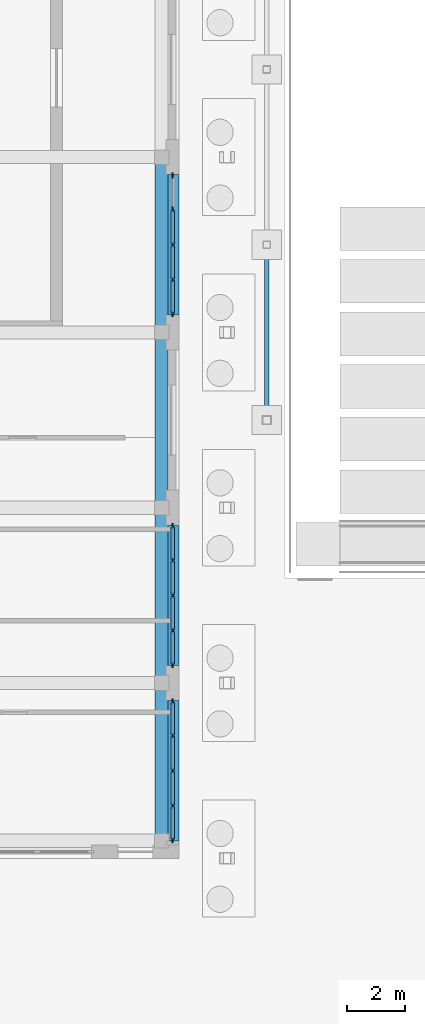
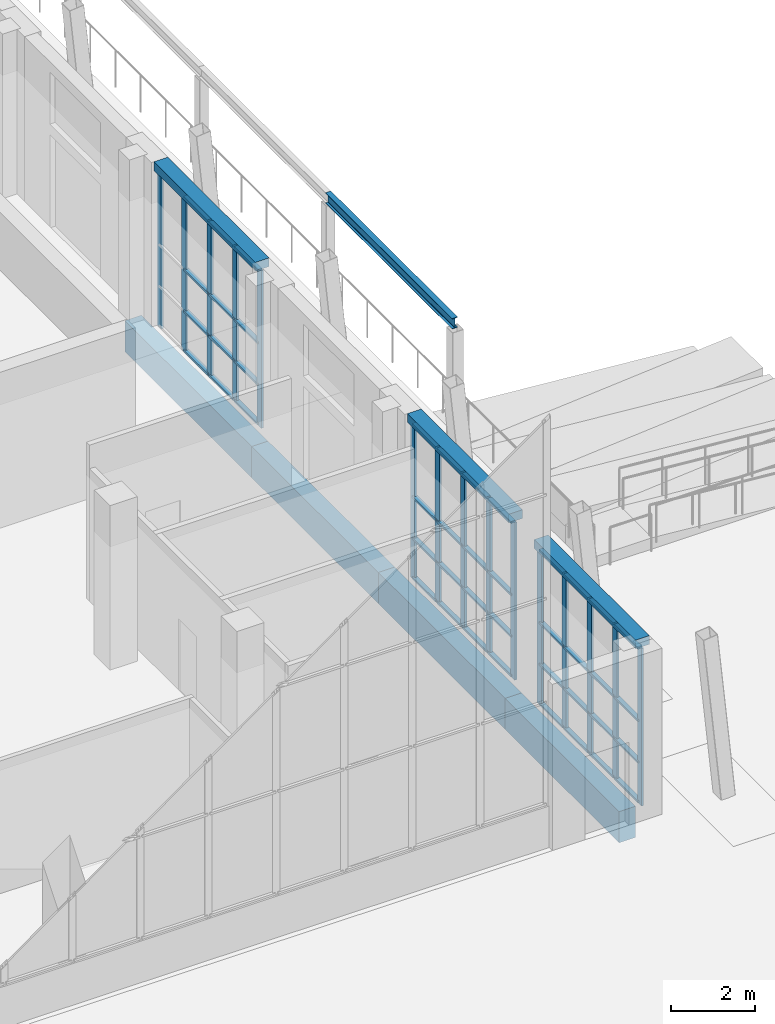
# One storey, part 28 of 144: 59 members, 8 beams, 3 elements without a shape of their own.
"""IFC4 building model written with IfcOpenShell, lengths in metres."""

from ifc_helpers import new_model, si_unit, direction, frame, origin, origin_2d, place, context, subcontext, project, spatial, rectangle, i_section, extrude, material, layer, layer_set, material_profile, profile_set, type_object, element, aggregate, save


model = new_model("IFC4")

# Units and contexts
model_context = context("Model", 3, precision=1e-05, world=origin(), true_north=direction((0.0, 1.0)))
body_context = subcontext(model_context, "Body", "Model", "MODEL_VIEW")
ifc_project = project(units=[si_unit("LENGTHUNIT", "METRE"), si_unit("AREAUNIT", "SQUARE_METRE"), si_unit("VOLUMEUNIT", "CUBIC_METRE"), si_unit("PLANEANGLEUNIT", "RADIAN"), si_unit("MASSUNIT", "GRAM", prefix="KILO")], contexts=[model_context])

# Site, building, storey
site_placement = place(None, origin())
site = spatial("IfcSite", under=ifc_project, at=site_placement, CompositionType="ELEMENT")
building_placement = place(site_placement, origin())
building = spatial("IfcBuilding", under=site, at=building_placement, Name="Lantern Court Media Centre", CompositionType="ELEMENT")
storey_placement = place(building_placement, origin())
storey = spatial("IfcBuildingStorey", under=building, at=storey_placement, Name="L00", CompositionType="ELEMENT", Elevation=0.0)

# Beam
ifc_material_1 = material(Name="Steel S355J2 (EN 10025-2)", Category="steel")
ifc_material_profile_1 = material_profile(ifc_material_1, i_section(OverallWidth=0.14990234375, OverallDepth=0.300048828125, WebThickness=0.007080078125, FlangeThickness=0.0107421875, FilletRadius=0.014892578125, at=origin_2d()), Name="IPE 300")
ifc_profile_set_1 = profile_set([ifc_material_profile_1], Name="Steel S355J2 (EN 10025-2)")
beam_type_1 = type_object("IfcBeamType", Name="Forecourt colonnade beam IPE 300", PredefinedType="BEAM", material=ifc_profile_set_1)
beam_1_placement = place(storey_placement, frame((35.0, 13.0, 4.050048828125), z_axis=(0.0, 1.0, 0.0), x_axis=(-1.0, 0.0, 0.0)))
element("IfcBeam", 1, at=beam_1_placement, inside=storey, type_object=beam_type_1, Name="Forecourt colonnade beam V1 1", PredefinedType="BEAM", context=body_context, shape_type="SweptSolid", body=[
    extrude(i_section(OverallWidth=0.14990234375, OverallDepth=0.300048828125, WebThickness=0.007080078125, FlangeThickness=0.0107421875, FilletRadius=0.014892578125, at=origin_2d()), origin(), (0.0, 0.0, 1.0), 6.0),
])

# Curtain wall, members
ifc_material_2 = material(Name="Aluminium and glass", Category="aluminium")
ifc_layer = layer(ifc_material_2, 0.14990234375)
ifc_layer_set = layer_set([ifc_layer], Name="Aluminium and glass")
curtain_wall_type = type_object("IfcCurtainWallType", Name="Hall lancet glazing", PredefinedType="NOTDEFINED", material=ifc_layer_set)
curtain_wall_1_placement = place(storey_placement, origin())
curtain_wall_1 = element("IfcCurtainWall", 2, at=curtain_wall_1_placement, inside=storey, type_object=curtain_wall_type, Name="Cinema Hall foyer glazing 1", PredefinedType="NOTDEFINED")
ifc_material_3 = material(Name="Aluminium, anodised", Category="aluminium")
ifc_material_profile_2 = material_profile(ifc_material_3, rectangle(XDim=0.06005859375, YDim=0.199951171875, at=origin_2d()), Name="HM")
ifc_profile_set_2 = profile_set([ifc_material_profile_2], Name="Aluminium, anodised")
member_type_1 = type_object("IfcMemberType", Name="HM", PredefinedType="MULLION", material=ifc_profile_set_2)
member_1_placement = place(storey_placement, frame((31.77490234375, -1.3701171875, 0.0), z_axis=(0.0, 0.0, 1.0), x_axis=(-1.0, 0.0, 0.0)))
member_1 = element("IfcMember", 3, at=member_1_placement, type_object=member_type_1, Name="HCW-V11 mullion 1", PredefinedType="MULLION", context=body_context, shape_type="SweptSolid", body=[
    extrude(rectangle(XDim=0.06005859375, YDim=0.199951171875, at=origin_2d()), origin(), (0.0, 0.0, 1.0), 4.550048828125),
])
member_2_placement = place(storey_placement, frame((31.77490234375, -0.199951171875, 0.0), z_axis=(0.0, 0.0, 1.0), x_axis=(-1.0, 0.0, 0.0)))
member_2 = element("IfcMember", 4, at=member_2_placement, type_object=member_type_1, Name="HCW-V11 mullion 2", PredefinedType="MULLION", context=body_context, shape_type="SweptSolid", body=[
    extrude(rectangle(XDim=0.06005859375, YDim=0.199951171875, at=origin_2d()), origin(), (0.0, 0.0, 1.0), 4.550048828125),
])
member_3_placement = place(storey_placement, frame((31.77490234375, 1.0, 0.0), z_axis=(0.0, 0.0, 1.0), x_axis=(-1.0, 0.0, 0.0)))
member_3 = element("IfcMember", 5, at=member_3_placement, type_object=member_type_1, Name="HCW-V11 mullion 3", PredefinedType="MULLION", context=body_context, shape_type="SweptSolid", body=[
    extrude(rectangle(XDim=0.06005859375, YDim=0.199951171875, at=origin_2d()), origin(), (0.0, 0.0, 1.0), 4.550048828125),
])
member_4_placement = place(storey_placement, frame((31.77490234375, 2.199951171875, 0.0), z_axis=(0.0, 0.0, 1.0), x_axis=(-1.0, 0.0, 0.0)))
member_4 = element("IfcMember", 6, at=member_4_placement, type_object=member_type_1, Name="HCW-V11 mullion 4", PredefinedType="MULLION", context=body_context, shape_type="SweptSolid", body=[
    extrude(rectangle(XDim=0.06005859375, YDim=0.199951171875, at=origin_2d()), origin(), (0.0, 0.0, 1.0), 4.550048828125),
])
member_5_placement = place(storey_placement, frame((31.77490234375, 3.3701171875, 0.0), z_axis=(0.0, 0.0, 1.0), x_axis=(-1.0, 0.0, 0.0)))
member_5 = element("IfcMember", 7, at=member_5_placement, type_object=member_type_1, Name="HCW-V11 mullion 5", PredefinedType="MULLION", context=body_context, shape_type="SweptSolid", body=[
    extrude(rectangle(XDim=0.06005859375, YDim=0.199951171875, at=origin_2d()), origin(), (0.0, 0.0, 1.0), 4.550048828125),
])

curtain_wall_2_placement = place(storey_placement, origin())
curtain_wall_2 = element("IfcCurtainWall", 8, at=curtain_wall_2_placement, inside=storey, type_object=curtain_wall_type, Name="Cinema Hall foyer glazing 2", PredefinedType="NOTDEFINED")
member_6_placement = place(storey_placement, frame((31.77490234375, 4.6298828125, 0.0), z_axis=(0.0, 0.0, 1.0), x_axis=(-1.0, 0.0, 0.0)))
member_6 = element("IfcMember", 9, at=member_6_placement, type_object=member_type_1, Name="HCW-V12 mullion 1", PredefinedType="MULLION", context=body_context, shape_type="SweptSolid", body=[
    extrude(rectangle(XDim=0.06005859375, YDim=0.199951171875, at=origin_2d()), origin(), (0.0, 0.0, 1.0), 4.550048828125),
])
member_7_placement = place(storey_placement, frame((31.77490234375, 5.800048828125, 0.0), z_axis=(0.0, 0.0, 1.0), x_axis=(-1.0, 0.0, 0.0)))
member_7 = element("IfcMember", 10, at=member_7_placement, type_object=member_type_1, Name="HCW-V12 mullion 2", PredefinedType="MULLION", context=body_context, shape_type="SweptSolid", body=[
    extrude(rectangle(XDim=0.06005859375, YDim=0.199951171875, at=origin_2d()), origin(), (0.0, 0.0, 1.0), 4.550048828125),
])
member_8_placement = place(storey_placement, frame((31.77490234375, 7.0, 0.0), z_axis=(0.0, 0.0, 1.0), x_axis=(-1.0, 0.0, 0.0)))
member_8 = element("IfcMember", 11, at=member_8_placement, type_object=member_type_1, Name="HCW-V12 mullion 3", PredefinedType="MULLION", context=body_context, shape_type="SweptSolid", body=[
    extrude(rectangle(XDim=0.06005859375, YDim=0.199951171875, at=origin_2d()), origin(), (0.0, 0.0, 1.0), 4.550048828125),
])
member_9_placement = place(storey_placement, frame((31.77490234375, 8.199951171875, 0.0), z_axis=(0.0, 0.0, 1.0), x_axis=(-1.0, 0.0, 0.0)))
member_9 = element("IfcMember", 12, at=member_9_placement, type_object=member_type_1, Name="HCW-V12 mullion 4", PredefinedType="MULLION", context=body_context, shape_type="SweptSolid", body=[
    extrude(rectangle(XDim=0.06005859375, YDim=0.199951171875, at=origin_2d()), origin(), (0.0, 0.0, 1.0), 4.550048828125),
])
member_10_placement = place(storey_placement, frame((31.77490234375, 9.3701171875, 0.0), z_axis=(0.0, 0.0, 1.0), x_axis=(-1.0, 0.0, 0.0)))
member_10 = element("IfcMember", 13, at=member_10_placement, type_object=member_type_1, Name="HCW-V12 mullion 5", PredefinedType="MULLION", context=body_context, shape_type="SweptSolid", body=[
    extrude(rectangle(XDim=0.06005859375, YDim=0.199951171875, at=origin_2d()), origin(), (0.0, 0.0, 1.0), 4.550048828125),
])

curtain_wall_3_placement = place(storey_placement, origin())
curtain_wall_3 = element("IfcCurtainWall", 14, at=curtain_wall_3_placement, inside=storey, type_object=curtain_wall_type, Name="Cinema Hall foyer glazing 4", PredefinedType="NOTDEFINED")
member_11_placement = place(storey_placement, frame((31.77490234375, 16.6298828125, 0.0), z_axis=(0.0, 0.0, 1.0), x_axis=(-1.0, 0.0, 0.0)))
member_11 = element("IfcMember", 15, at=member_11_placement, type_object=member_type_1, Name="HCW-V14 mullion 1", PredefinedType="MULLION", context=body_context, shape_type="SweptSolid", body=[
    extrude(rectangle(XDim=0.06005859375, YDim=0.199951171875, at=origin_2d()), origin(), (0.0, 0.0, 1.0), 4.550048828125),
])
member_12_placement = place(storey_placement, frame((31.77490234375, 17.800048828125, 0.0), z_axis=(0.0, 0.0, 1.0), x_axis=(-1.0, 0.0, 0.0)))
member_12 = element("IfcMember", 16, at=member_12_placement, type_object=member_type_1, Name="HCW-V14 mullion 2", PredefinedType="MULLION", context=body_context, shape_type="SweptSolid", body=[
    extrude(rectangle(XDim=0.06005859375, YDim=0.199951171875, at=origin_2d()), origin(), (0.0, 0.0, 1.0), 4.550048828125),
])
member_13_placement = place(storey_placement, frame((31.77490234375, 19.0, 0.0), z_axis=(0.0, 0.0, 1.0), x_axis=(-1.0, 0.0, 0.0)))
member_13 = element("IfcMember", 17, at=member_13_placement, type_object=member_type_1, Name="HCW-V14 mullion 3", PredefinedType="MULLION", context=body_context, shape_type="SweptSolid", body=[
    extrude(rectangle(XDim=0.06005859375, YDim=0.199951171875, at=origin_2d()), origin(), (0.0, 0.0, 1.0), 4.550048828125),
])
member_14_placement = place(storey_placement, frame((31.77490234375, 20.199951171875, 0.0), z_axis=(0.0, 0.0, 1.0), x_axis=(-1.0, 0.0, 0.0)))
member_14 = element("IfcMember", 18, at=member_14_placement, type_object=member_type_1, Name="HCW-V14 mullion 4", PredefinedType="MULLION", context=body_context, shape_type="SweptSolid", body=[
    extrude(rectangle(XDim=0.06005859375, YDim=0.199951171875, at=origin_2d()), origin(), (0.0, 0.0, 1.0), 4.550048828125),
])
member_15_placement = place(storey_placement, frame((31.77490234375, 21.3701171875, 0.0), z_axis=(0.0, 0.0, 1.0), x_axis=(-1.0, 0.0, 0.0)))
member_15 = element("IfcMember", 19, at=member_15_placement, type_object=member_type_1, Name="HCW-V14 mullion 5", PredefinedType="MULLION", context=body_context, shape_type="SweptSolid", body=[
    extrude(rectangle(XDim=0.06005859375, YDim=0.199951171875, at=origin_2d()), origin(), (0.0, 0.0, 1.0), 4.550048828125),
])

# Member
ifc_material_profile_3 = material_profile(ifc_material_3, rectangle(XDim=0.1201171875, YDim=0.06005859375, at=origin_2d()), Name="HT")
ifc_profile_set_3 = profile_set([ifc_material_profile_3], Name="Aluminium, anodised")
member_type_2 = type_object("IfcMemberType", Name="HT", PredefinedType="USERDEFINED", material=ifc_profile_set_3)
member_16_placement = place(storey_placement, frame((31.77490234375, -1.340087890625, 0.06005859375), z_axis=(0.0, 1.0, 0.0), x_axis=(-1.0, 0.0, 0.0)))
member_16 = element("IfcMember", 20, at=member_16_placement, type_object=member_type_2, Name="HCW-V11 transom 1.1", ObjectType="TRANSOM", PredefinedType="USERDEFINED", context=body_context, shape_type="SweptSolid", body=[
    extrude(rectangle(XDim=0.1201171875, YDim=0.06005859375, at=origin_2d()), origin(), (0.0, 0.0, 1.0), 1.110107421875),
])

member_17_placement = place(storey_placement, frame((31.77490234375, -1.340087890625, 1.199951171875), z_axis=(0.0, 1.0, 0.0), x_axis=(-1.0, 0.0, 0.0)))
member_17 = element("IfcMember", 21, at=member_17_placement, type_object=member_type_2, Name="HCW-V11 transom 1.2", ObjectType="TRANSOM", PredefinedType="USERDEFINED", context=body_context, shape_type="SweptSolid", body=[
    extrude(rectangle(XDim=0.1201171875, YDim=0.06005859375, at=origin_2d()), origin(), (0.0, 0.0, 1.0), 1.110107421875),
])

member_18_placement = place(storey_placement, frame((31.77490234375, -1.340087890625, 2.39990234375), z_axis=(0.0, 1.0, 0.0), x_axis=(-1.0, 0.0, 0.0)))
member_18 = element("IfcMember", 22, at=member_18_placement, type_object=member_type_2, Name="HCW-V11 transom 1.3", ObjectType="TRANSOM", PredefinedType="USERDEFINED", context=body_context, shape_type="SweptSolid", body=[
    extrude(rectangle(XDim=0.1201171875, YDim=0.06005859375, at=origin_2d()), origin(), (0.0, 0.0, 1.0), 1.110107421875),
])

member_19_placement = place(storey_placement, frame((31.77490234375, -1.340087890625, 4.489990234375), z_axis=(0.0, 1.0, 0.0), x_axis=(-1.0, 0.0, 0.0)))
member_19 = element("IfcMember", 23, at=member_19_placement, type_object=member_type_2, Name="HCW-V11 transom 1.4", ObjectType="TRANSOM", PredefinedType="USERDEFINED", context=body_context, shape_type="SweptSolid", body=[
    extrude(rectangle(XDim=0.1201171875, YDim=0.06005859375, at=origin_2d()), origin(), (0.0, 0.0, 1.0), 1.110107421875),
])

member_20_placement = place(storey_placement, frame((31.77490234375, -0.169921875, 0.06005859375), z_axis=(0.0, 1.0, 0.0), x_axis=(-1.0, 0.0, 0.0)))
member_20 = element("IfcMember", 24, at=member_20_placement, type_object=member_type_2, Name="HCW-V11 transom 2.1", ObjectType="TRANSOM", PredefinedType="USERDEFINED", context=body_context, shape_type="SweptSolid", body=[
    extrude(rectangle(XDim=0.1201171875, YDim=0.06005859375, at=origin_2d()), origin(), (0.0, 0.0, 1.0), 1.139892578125),
])

member_21_placement = place(storey_placement, frame((31.77490234375, -0.169921875, 1.199951171875), z_axis=(0.0, 1.0, 0.0), x_axis=(-1.0, 0.0, 0.0)))
member_21 = element("IfcMember", 25, at=member_21_placement, type_object=member_type_2, Name="HCW-V11 transom 2.2", ObjectType="TRANSOM", PredefinedType="USERDEFINED", context=body_context, shape_type="SweptSolid", body=[
    extrude(rectangle(XDim=0.1201171875, YDim=0.06005859375, at=origin_2d()), origin(), (0.0, 0.0, 1.0), 1.139892578125),
])

member_22_placement = place(storey_placement, frame((31.77490234375, -0.169921875, 2.39990234375), z_axis=(0.0, 1.0, 0.0), x_axis=(-1.0, 0.0, 0.0)))
member_22 = element("IfcMember", 26, at=member_22_placement, type_object=member_type_2, Name="HCW-V11 transom 2.3", ObjectType="TRANSOM", PredefinedType="USERDEFINED", context=body_context, shape_type="SweptSolid", body=[
    extrude(rectangle(XDim=0.1201171875, YDim=0.06005859375, at=origin_2d()), origin(), (0.0, 0.0, 1.0), 1.139892578125),
])

member_23_placement = place(storey_placement, frame((31.77490234375, -0.169921875, 4.489990234375), z_axis=(0.0, 1.0, 0.0), x_axis=(-1.0, 0.0, 0.0)))
member_23 = element("IfcMember", 27, at=member_23_placement, type_object=member_type_2, Name="HCW-V11 transom 2.4", ObjectType="TRANSOM", PredefinedType="USERDEFINED", context=body_context, shape_type="SweptSolid", body=[
    extrude(rectangle(XDim=0.1201171875, YDim=0.06005859375, at=origin_2d()), origin(), (0.0, 0.0, 1.0), 1.139892578125),
])

member_24_placement = place(storey_placement, frame((31.77490234375, 1.030029296875, 0.06005859375), z_axis=(0.0, 1.0, 0.0), x_axis=(-1.0, 0.0, 0.0)))
member_24 = element("IfcMember", 28, at=member_24_placement, type_object=member_type_2, Name="HCW-V11 transom 3.1", ObjectType="TRANSOM", PredefinedType="USERDEFINED", context=body_context, shape_type="SweptSolid", body=[
    extrude(rectangle(XDim=0.1201171875, YDim=0.06005859375, at=origin_2d()), origin(), (0.0, 0.0, 1.0), 1.139892578125),
])

member_25_placement = place(storey_placement, frame((31.77490234375, 1.030029296875, 1.199951171875), z_axis=(0.0, 1.0, 0.0), x_axis=(-1.0, 0.0, 0.0)))
member_25 = element("IfcMember", 29, at=member_25_placement, type_object=member_type_2, Name="HCW-V11 transom 3.2", ObjectType="TRANSOM", PredefinedType="USERDEFINED", context=body_context, shape_type="SweptSolid", body=[
    extrude(rectangle(XDim=0.1201171875, YDim=0.06005859375, at=origin_2d()), origin(), (0.0, 0.0, 1.0), 1.139892578125),
])

member_26_placement = place(storey_placement, frame((31.77490234375, 1.030029296875, 2.39990234375), z_axis=(0.0, 1.0, 0.0), x_axis=(-1.0, 0.0, 0.0)))
member_26 = element("IfcMember", 30, at=member_26_placement, type_object=member_type_2, Name="HCW-V11 transom 3.3", ObjectType="TRANSOM", PredefinedType="USERDEFINED", context=body_context, shape_type="SweptSolid", body=[
    extrude(rectangle(XDim=0.1201171875, YDim=0.06005859375, at=origin_2d()), origin(), (0.0, 0.0, 1.0), 1.139892578125),
])

member_27_placement = place(storey_placement, frame((31.77490234375, 1.030029296875, 4.489990234375), z_axis=(0.0, 1.0, 0.0), x_axis=(-1.0, 0.0, 0.0)))
member_27 = element("IfcMember", 31, at=member_27_placement, type_object=member_type_2, Name="HCW-V11 transom 3.4", ObjectType="TRANSOM", PredefinedType="USERDEFINED", context=body_context, shape_type="SweptSolid", body=[
    extrude(rectangle(XDim=0.1201171875, YDim=0.06005859375, at=origin_2d()), origin(), (0.0, 0.0, 1.0), 1.139892578125),
])

member_28_placement = place(storey_placement, frame((31.77490234375, 2.22998046875, 0.06005859375), z_axis=(0.0, 1.0, 0.0), x_axis=(-1.0, 0.0, 0.0)))
member_28 = element("IfcMember", 32, at=member_28_placement, type_object=member_type_2, Name="HCW-V11 transom 4.1", ObjectType="TRANSOM", PredefinedType="USERDEFINED", context=body_context, shape_type="SweptSolid", body=[
    extrude(rectangle(XDim=0.1201171875, YDim=0.06005859375, at=origin_2d()), origin(), (0.0, 0.0, 1.0), 1.110107421875),
])

member_29_placement = place(storey_placement, frame((31.77490234375, 2.22998046875, 1.199951171875), z_axis=(0.0, 1.0, 0.0), x_axis=(-1.0, 0.0, 0.0)))
member_29 = element("IfcMember", 33, at=member_29_placement, type_object=member_type_2, Name="HCW-V11 transom 4.2", ObjectType="TRANSOM", PredefinedType="USERDEFINED", context=body_context, shape_type="SweptSolid", body=[
    extrude(rectangle(XDim=0.1201171875, YDim=0.06005859375, at=origin_2d()), origin(), (0.0, 0.0, 1.0), 1.110107421875),
])

member_30_placement = place(storey_placement, frame((31.77490234375, 2.22998046875, 2.39990234375), z_axis=(0.0, 1.0, 0.0), x_axis=(-1.0, 0.0, 0.0)))
member_30 = element("IfcMember", 34, at=member_30_placement, type_object=member_type_2, Name="HCW-V11 transom 4.3", ObjectType="TRANSOM", PredefinedType="USERDEFINED", context=body_context, shape_type="SweptSolid", body=[
    extrude(rectangle(XDim=0.1201171875, YDim=0.06005859375, at=origin_2d()), origin(), (0.0, 0.0, 1.0), 1.110107421875),
])

member_31_placement = place(storey_placement, frame((31.77490234375, 2.22998046875, 4.489990234375), z_axis=(0.0, 1.0, 0.0), x_axis=(-1.0, 0.0, 0.0)))
member_31 = element("IfcMember", 35, at=member_31_placement, type_object=member_type_2, Name="HCW-V11 transom 4.4", ObjectType="TRANSOM", PredefinedType="USERDEFINED", context=body_context, shape_type="SweptSolid", body=[
    extrude(rectangle(XDim=0.1201171875, YDim=0.06005859375, at=origin_2d()), origin(), (0.0, 0.0, 1.0), 1.110107421875),
])

aggregate(curtain_wall_1, [member_1, member_2, member_3, member_4, member_5, member_16, member_17, member_18, member_19, member_20, member_21, member_22, member_23, member_24, member_25, member_26, member_27, member_28, member_29, member_30, member_31])

member_32_placement = place(storey_placement, frame((31.77490234375, 4.659912109375, 0.06005859375), z_axis=(0.0, 1.0, 0.0), x_axis=(-1.0, 0.0, 0.0)))
member_32 = element("IfcMember", 36, at=member_32_placement, type_object=member_type_2, Name="HCW-V12 transom 1.1", ObjectType="TRANSOM", PredefinedType="USERDEFINED", context=body_context, shape_type="SweptSolid", body=[
    extrude(rectangle(XDim=0.1201171875, YDim=0.06005859375, at=origin_2d()), origin(), (0.0, 0.0, 1.0), 1.110107421875),
])

member_33_placement = place(storey_placement, frame((31.77490234375, 4.659912109375, 1.199951171875), z_axis=(0.0, 1.0, 0.0), x_axis=(-1.0, 0.0, 0.0)))
member_33 = element("IfcMember", 37, at=member_33_placement, type_object=member_type_2, Name="HCW-V12 transom 1.2", ObjectType="TRANSOM", PredefinedType="USERDEFINED", context=body_context, shape_type="SweptSolid", body=[
    extrude(rectangle(XDim=0.1201171875, YDim=0.06005859375, at=origin_2d()), origin(), (0.0, 0.0, 1.0), 1.110107421875),
])

member_34_placement = place(storey_placement, frame((31.77490234375, 4.659912109375, 2.39990234375), z_axis=(0.0, 1.0, 0.0), x_axis=(-1.0, 0.0, 0.0)))
member_34 = element("IfcMember", 38, at=member_34_placement, type_object=member_type_2, Name="HCW-V12 transom 1.3", ObjectType="TRANSOM", PredefinedType="USERDEFINED", context=body_context, shape_type="SweptSolid", body=[
    extrude(rectangle(XDim=0.1201171875, YDim=0.06005859375, at=origin_2d()), origin(), (0.0, 0.0, 1.0), 1.110107421875),
])

member_35_placement = place(storey_placement, frame((31.77490234375, 4.659912109375, 4.489990234375), z_axis=(0.0, 1.0, 0.0), x_axis=(-1.0, 0.0, 0.0)))
member_35 = element("IfcMember", 39, at=member_35_placement, type_object=member_type_2, Name="HCW-V12 transom 1.4", ObjectType="TRANSOM", PredefinedType="USERDEFINED", context=body_context, shape_type="SweptSolid", body=[
    extrude(rectangle(XDim=0.1201171875, YDim=0.06005859375, at=origin_2d()), origin(), (0.0, 0.0, 1.0), 1.110107421875),
])

member_36_placement = place(storey_placement, frame((31.77490234375, 5.830078125, 0.06005859375), z_axis=(0.0, 1.0, 0.0), x_axis=(-1.0, 0.0, 0.0)))
member_36 = element("IfcMember", 40, at=member_36_placement, type_object=member_type_2, Name="HCW-V12 transom 2.1", ObjectType="TRANSOM", PredefinedType="USERDEFINED", context=body_context, shape_type="SweptSolid", body=[
    extrude(rectangle(XDim=0.1201171875, YDim=0.06005859375, at=origin_2d()), origin(), (0.0, 0.0, 1.0), 1.139892578125),
])

member_37_placement = place(storey_placement, frame((31.77490234375, 5.830078125, 1.199951171875), z_axis=(0.0, 1.0, 0.0), x_axis=(-1.0, 0.0, 0.0)))
member_37 = element("IfcMember", 41, at=member_37_placement, type_object=member_type_2, Name="HCW-V12 transom 2.2", ObjectType="TRANSOM", PredefinedType="USERDEFINED", context=body_context, shape_type="SweptSolid", body=[
    extrude(rectangle(XDim=0.1201171875, YDim=0.06005859375, at=origin_2d()), origin(), (0.0, 0.0, 1.0), 1.139892578125),
])

member_38_placement = place(storey_placement, frame((31.77490234375, 5.830078125, 2.39990234375), z_axis=(0.0, 1.0, 0.0), x_axis=(-1.0, 0.0, 0.0)))
member_38 = element("IfcMember", 42, at=member_38_placement, type_object=member_type_2, Name="HCW-V12 transom 2.3", ObjectType="TRANSOM", PredefinedType="USERDEFINED", context=body_context, shape_type="SweptSolid", body=[
    extrude(rectangle(XDim=0.1201171875, YDim=0.06005859375, at=origin_2d()), origin(), (0.0, 0.0, 1.0), 1.139892578125),
])

member_39_placement = place(storey_placement, frame((31.77490234375, 5.830078125, 4.489990234375), z_axis=(0.0, 1.0, 0.0), x_axis=(-1.0, 0.0, 0.0)))
member_39 = element("IfcMember", 43, at=member_39_placement, type_object=member_type_2, Name="HCW-V12 transom 2.4", ObjectType="TRANSOM", PredefinedType="USERDEFINED", context=body_context, shape_type="SweptSolid", body=[
    extrude(rectangle(XDim=0.1201171875, YDim=0.06005859375, at=origin_2d()), origin(), (0.0, 0.0, 1.0), 1.139892578125),
])

member_40_placement = place(storey_placement, frame((31.77490234375, 7.030029296875, 0.06005859375), z_axis=(0.0, 1.0, 0.0), x_axis=(-1.0, 0.0, 0.0)))
member_40 = element("IfcMember", 44, at=member_40_placement, type_object=member_type_2, Name="HCW-V12 transom 3.1", ObjectType="TRANSOM", PredefinedType="USERDEFINED", context=body_context, shape_type="SweptSolid", body=[
    extrude(rectangle(XDim=0.1201171875, YDim=0.06005859375, at=origin_2d()), origin(), (0.0, 0.0, 1.0), 1.139892578125),
])

member_41_placement = place(storey_placement, frame((31.77490234375, 7.030029296875, 1.199951171875), z_axis=(0.0, 1.0, 0.0), x_axis=(-1.0, 0.0, 0.0)))
member_41 = element("IfcMember", 45, at=member_41_placement, type_object=member_type_2, Name="HCW-V12 transom 3.2", ObjectType="TRANSOM", PredefinedType="USERDEFINED", context=body_context, shape_type="SweptSolid", body=[
    extrude(rectangle(XDim=0.1201171875, YDim=0.06005859375, at=origin_2d()), origin(), (0.0, 0.0, 1.0), 1.139892578125),
])

member_42_placement = place(storey_placement, frame((31.77490234375, 7.030029296875, 2.39990234375), z_axis=(0.0, 1.0, 0.0), x_axis=(-1.0, 0.0, 0.0)))
member_42 = element("IfcMember", 46, at=member_42_placement, type_object=member_type_2, Name="HCW-V12 transom 3.3", ObjectType="TRANSOM", PredefinedType="USERDEFINED", context=body_context, shape_type="SweptSolid", body=[
    extrude(rectangle(XDim=0.1201171875, YDim=0.06005859375, at=origin_2d()), origin(), (0.0, 0.0, 1.0), 1.139892578125),
])

member_43_placement = place(storey_placement, frame((31.77490234375, 7.030029296875, 4.489990234375), z_axis=(0.0, 1.0, 0.0), x_axis=(-1.0, 0.0, 0.0)))
member_43 = element("IfcMember", 47, at=member_43_placement, type_object=member_type_2, Name="HCW-V12 transom 3.4", ObjectType="TRANSOM", PredefinedType="USERDEFINED", context=body_context, shape_type="SweptSolid", body=[
    extrude(rectangle(XDim=0.1201171875, YDim=0.06005859375, at=origin_2d()), origin(), (0.0, 0.0, 1.0), 1.139892578125),
])

member_44_placement = place(storey_placement, frame((31.77490234375, 8.22998046875, 0.06005859375), z_axis=(0.0, 1.0, 0.0), x_axis=(-1.0, 0.0, 0.0)))
member_44 = element("IfcMember", 48, at=member_44_placement, type_object=member_type_2, Name="HCW-V12 transom 4.1", ObjectType="TRANSOM", PredefinedType="USERDEFINED", context=body_context, shape_type="SweptSolid", body=[
    extrude(rectangle(XDim=0.1201171875, YDim=0.06005859375, at=origin_2d()), origin(), (0.0, 0.0, 1.0), 1.110107421875),
])

member_45_placement = place(storey_placement, frame((31.77490234375, 8.22998046875, 1.199951171875), z_axis=(0.0, 1.0, 0.0), x_axis=(-1.0, 0.0, 0.0)))
member_45 = element("IfcMember", 49, at=member_45_placement, type_object=member_type_2, Name="HCW-V12 transom 4.2", ObjectType="TRANSOM", PredefinedType="USERDEFINED", context=body_context, shape_type="SweptSolid", body=[
    extrude(rectangle(XDim=0.1201171875, YDim=0.06005859375, at=origin_2d()), origin(), (0.0, 0.0, 1.0), 1.110107421875),
])

member_46_placement = place(storey_placement, frame((31.77490234375, 8.22998046875, 2.39990234375), z_axis=(0.0, 1.0, 0.0), x_axis=(-1.0, 0.0, 0.0)))
member_46 = element("IfcMember", 50, at=member_46_placement, type_object=member_type_2, Name="HCW-V12 transom 4.3", ObjectType="TRANSOM", PredefinedType="USERDEFINED", context=body_context, shape_type="SweptSolid", body=[
    extrude(rectangle(XDim=0.1201171875, YDim=0.06005859375, at=origin_2d()), origin(), (0.0, 0.0, 1.0), 1.110107421875),
])

member_47_placement = place(storey_placement, frame((31.77490234375, 8.22998046875, 4.489990234375), z_axis=(0.0, 1.0, 0.0), x_axis=(-1.0, 0.0, 0.0)))
member_47 = element("IfcMember", 51, at=member_47_placement, type_object=member_type_2, Name="HCW-V12 transom 4.4", ObjectType="TRANSOM", PredefinedType="USERDEFINED", context=body_context, shape_type="SweptSolid", body=[
    extrude(rectangle(XDim=0.1201171875, YDim=0.06005859375, at=origin_2d()), origin(), (0.0, 0.0, 1.0), 1.110107421875),
])

aggregate(curtain_wall_2, [member_6, member_7, member_8, member_9, member_10, member_32, member_33, member_34, member_35, member_36, member_37, member_38, member_39, member_40, member_41, member_42, member_43, member_44, member_45, member_46, member_47])

member_48_placement = place(storey_placement, frame((31.77490234375, 16.659912109375, 0.06005859375), z_axis=(0.0, 1.0, 0.0), x_axis=(-1.0, 0.0, 0.0)))
member_48 = element("IfcMember", 52, at=member_48_placement, type_object=member_type_2, Name="HCW-V14 transom 1.1", ObjectType="TRANSOM", PredefinedType="USERDEFINED", context=body_context, shape_type="SweptSolid", body=[
    extrude(rectangle(XDim=0.1201171875, YDim=0.06005859375, at=origin_2d()), origin(), (0.0, 0.0, 1.0), 1.110107421875),
])

member_49_placement = place(storey_placement, frame((31.77490234375, 16.659912109375, 1.199951171875), z_axis=(0.0, 1.0, 0.0), x_axis=(-1.0, 0.0, 0.0)))
member_49 = element("IfcMember", 53, at=member_49_placement, type_object=member_type_2, Name="HCW-V14 transom 1.2", ObjectType="TRANSOM", PredefinedType="USERDEFINED", context=body_context, shape_type="SweptSolid", body=[
    extrude(rectangle(XDim=0.1201171875, YDim=0.06005859375, at=origin_2d()), origin(), (0.0, 0.0, 1.0), 1.110107421875),
])

member_50_placement = place(storey_placement, frame((31.77490234375, 16.659912109375, 2.39990234375), z_axis=(0.0, 1.0, 0.0), x_axis=(-1.0, 0.0, 0.0)))
member_50 = element("IfcMember", 54, at=member_50_placement, type_object=member_type_2, Name="HCW-V14 transom 1.3", ObjectType="TRANSOM", PredefinedType="USERDEFINED", context=body_context, shape_type="SweptSolid", body=[
    extrude(rectangle(XDim=0.1201171875, YDim=0.06005859375, at=origin_2d()), origin(), (0.0, 0.0, 1.0), 1.110107421875),
])

member_51_placement = place(storey_placement, frame((31.77490234375, 16.659912109375, 4.489990234375), z_axis=(0.0, 1.0, 0.0), x_axis=(-1.0, 0.0, 0.0)))
member_51 = element("IfcMember", 55, at=member_51_placement, type_object=member_type_2, Name="HCW-V14 transom 1.4", ObjectType="TRANSOM", PredefinedType="USERDEFINED", context=body_context, shape_type="SweptSolid", body=[
    extrude(rectangle(XDim=0.1201171875, YDim=0.06005859375, at=origin_2d()), origin(), (0.0, 0.0, 1.0), 1.110107421875),
])

member_52_placement = place(storey_placement, frame((31.77490234375, 17.830078125, 0.06005859375), z_axis=(0.0, 1.0, 0.0), x_axis=(-1.0, 0.0, 0.0)))
member_52 = element("IfcMember", 56, at=member_52_placement, type_object=member_type_2, Name="HCW-V14 transom 2.1", ObjectType="TRANSOM", PredefinedType="USERDEFINED", context=body_context, shape_type="SweptSolid", body=[
    extrude(rectangle(XDim=0.1201171875, YDim=0.06005859375, at=origin_2d()), origin(), (0.0, 0.0, 1.0), 1.139892578125),
])

member_53_placement = place(storey_placement, frame((31.77490234375, 17.830078125, 1.199951171875), z_axis=(0.0, 1.0, 0.0), x_axis=(-1.0, 0.0, 0.0)))
member_53 = element("IfcMember", 57, at=member_53_placement, type_object=member_type_2, Name="HCW-V14 transom 2.2", ObjectType="TRANSOM", PredefinedType="USERDEFINED", context=body_context, shape_type="SweptSolid", body=[
    extrude(rectangle(XDim=0.1201171875, YDim=0.06005859375, at=origin_2d()), origin(), (0.0, 0.0, 1.0), 1.139892578125),
])

member_54_placement = place(storey_placement, frame((31.77490234375, 17.830078125, 2.39990234375), z_axis=(0.0, 1.0, 0.0), x_axis=(-1.0, 0.0, 0.0)))
member_54 = element("IfcMember", 58, at=member_54_placement, type_object=member_type_2, Name="HCW-V14 transom 2.3", ObjectType="TRANSOM", PredefinedType="USERDEFINED", context=body_context, shape_type="SweptSolid", body=[
    extrude(rectangle(XDim=0.1201171875, YDim=0.06005859375, at=origin_2d()), origin(), (0.0, 0.0, 1.0), 1.139892578125),
])

member_55_placement = place(storey_placement, frame((31.77490234375, 17.830078125, 4.489990234375), z_axis=(0.0, 1.0, 0.0), x_axis=(-1.0, 0.0, 0.0)))
member_55 = element("IfcMember", 59, at=member_55_placement, type_object=member_type_2, Name="HCW-V14 transom 2.4", ObjectType="TRANSOM", PredefinedType="USERDEFINED", context=body_context, shape_type="SweptSolid", body=[
    extrude(rectangle(XDim=0.1201171875, YDim=0.06005859375, at=origin_2d()), origin(), (0.0, 0.0, 1.0), 1.139892578125),
])

member_56_placement = place(storey_placement, frame((31.77490234375, 19.030029296875, 0.06005859375), z_axis=(0.0, 1.0, 0.0), x_axis=(-1.0, 0.0, 0.0)))
member_56 = element("IfcMember", 60, at=member_56_placement, type_object=member_type_2, Name="HCW-V14 transom 3.1", ObjectType="TRANSOM", PredefinedType="USERDEFINED", context=body_context, shape_type="SweptSolid", body=[
    extrude(rectangle(XDim=0.1201171875, YDim=0.06005859375, at=origin_2d()), origin(), (0.0, 0.0, 1.0), 1.139892578125),
])

member_57_placement = place(storey_placement, frame((31.77490234375, 19.030029296875, 1.199951171875), z_axis=(0.0, 1.0, 0.0), x_axis=(-1.0, 0.0, 0.0)))
member_57 = element("IfcMember", 61, at=member_57_placement, type_object=member_type_2, Name="HCW-V14 transom 3.2", ObjectType="TRANSOM", PredefinedType="USERDEFINED", context=body_context, shape_type="SweptSolid", body=[
    extrude(rectangle(XDim=0.1201171875, YDim=0.06005859375, at=origin_2d()), origin(), (0.0, 0.0, 1.0), 1.139892578125),
])

member_58_placement = place(storey_placement, frame((31.77490234375, 19.030029296875, 2.39990234375), z_axis=(0.0, 1.0, 0.0), x_axis=(-1.0, 0.0, 0.0)))
member_58 = element("IfcMember", 62, at=member_58_placement, type_object=member_type_2, Name="HCW-V14 transom 3.3", ObjectType="TRANSOM", PredefinedType="USERDEFINED", context=body_context, shape_type="SweptSolid", body=[
    extrude(rectangle(XDim=0.1201171875, YDim=0.06005859375, at=origin_2d()), origin(), (0.0, 0.0, 1.0), 1.139892578125),
])

member_59_placement = place(storey_placement, frame((31.77490234375, 19.030029296875, 4.489990234375), z_axis=(0.0, 1.0, 0.0), x_axis=(-1.0, 0.0, 0.0)))
member_59 = element("IfcMember", 63, at=member_59_placement, type_object=member_type_2, Name="HCW-V14 transom 3.4", ObjectType="TRANSOM", PredefinedType="USERDEFINED", context=body_context, shape_type="SweptSolid", body=[
    extrude(rectangle(XDim=0.1201171875, YDim=0.06005859375, at=origin_2d()), origin(), (0.0, 0.0, 1.0), 1.139892578125),
])

aggregate(curtain_wall_3, [member_11, member_12, member_13, member_14, member_15, member_48, member_49, member_50, member_51, member_52, member_53, member_54, member_55, member_56, member_57, member_58, member_59])

# Beams
ifc_material_4 = material(Name="Concrete C35", Category="concrete")
ifc_material_profile_4 = material_profile(ifc_material_4, rectangle(XDim=0.3798828125, YDim=0.25, at=origin_2d()), Name="RC 380x250")
ifc_profile_set_4 = profile_set([ifc_material_profile_4], Name="Concrete C35")
beam_type_2 = type_object("IfcBeamType", Name="RC BEAM 380x250", PredefinedType="BEAM", material=ifc_profile_set_4)
for number, where, z_axis, x_axis, name in (
    (64, (31.81005859375, -1.39990234375, 4.675048828125), (0.0, 1.0, 0.0), (-1.0, 0.0, 0.0), "HB-V1-L00-FH0"),
    (65, (31.81005859375, 4.60009765625, 4.675048828125), (0.0, 1.0, 0.0), (-1.0, 0.0, 0.0), "HB-V1-L00-FH1"),
    (66, (31.81005859375, 16.60009765625, 4.675048828125), (0.0, 1.0, 0.0), (-1.0, 0.0, 0.0), "HB-V1-L00-FH3"),
):
    element("IfcBeam", number, at=place(storey_placement, frame(where, z_axis=z_axis, x_axis=x_axis)), inside=storey, type_object=beam_type_2, Name=name, PredefinedType="BEAM", context=body_context, shape_type="SweptSolid", body=[
        extrude(rectangle(XDim=0.3798828125, YDim=0.25, at=origin_2d()), origin(), (0.0, 0.0, 1.0), 4.7998046875),
    ])
ifc_material_profile_5 = material_profile(ifc_material_4, rectangle(XDim=0.449951171875, YDim=0.89990234375, at=origin_2d()), Name="RC 450x900")
ifc_profile_set_5 = profile_set([ifc_material_profile_5], Name="Concrete C35")
beam_type_3 = type_object("IfcBeamType", Name="RC BEAM 450x900", PredefinedType="BEAM", material=ifc_profile_set_5)
beam_2_placement = place(storey_placement, frame((31.39990234375, -1.39990234375, -0.449951171875), z_axis=(0.0, 1.0, 0.0), x_axis=(-1.0, 0.0, 0.0)))
element("IfcBeam", 67, at=beam_2_placement, inside=storey, type_object=beam_type_3, Name="HB-V1-L00-PY4-0", PredefinedType="BEAM", context=body_context, shape_type="SweptSolid", body=[
    extrude(rectangle(XDim=0.449951171875, YDim=0.89990234375, at=origin_2d()), origin(), (0.0, 0.0, 1.0), 5.39990234375),
])
for number, where, z_axis, x_axis, name in (
    (68, (31.39990234375, 4.0, -0.449951171875), (0.0, 1.0, 0.0), (-1.0, 0.0, 0.0), "HB-V1-L00-PY4-1"),
    (69, (31.39990234375, 10.0, -0.449951171875), (0.0, 1.0, 0.0), (-1.0, 0.0, 0.0), "HB-V1-L00-PY4-2"),
    (70, (31.39990234375, 16.0, -0.449951171875), (0.0, 1.0, 0.0), (-1.0, 0.0, 0.0), "HB-V1-L00-PY4-3"),
):
    element("IfcBeam", number, at=place(storey_placement, frame(where, z_axis=z_axis, x_axis=x_axis)), inside=storey, type_object=beam_type_3, Name=name, PredefinedType="BEAM", context=body_context, shape_type="SweptSolid", body=[
        extrude(rectangle(XDim=0.449951171875, YDim=0.89990234375, at=origin_2d()), origin(), (0.0, 0.0, 1.0), 6.0),
    ])

save(model, "model.ifc")
